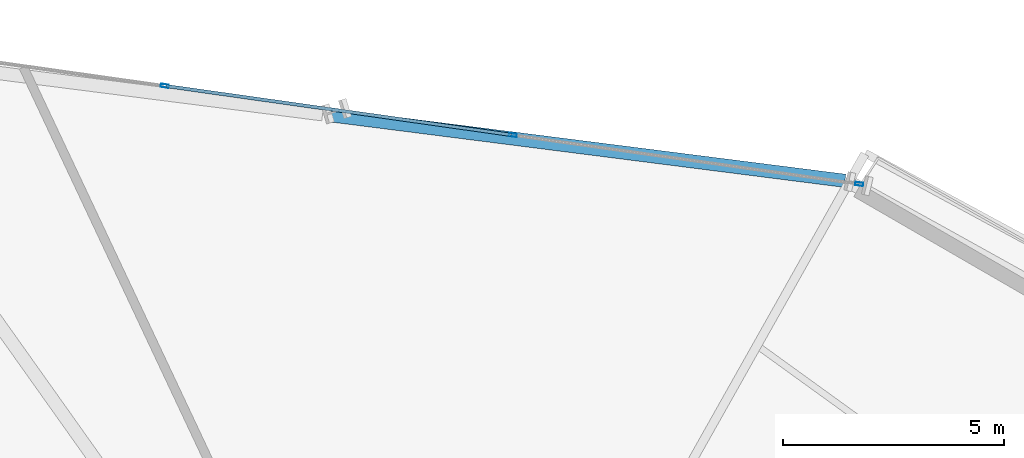
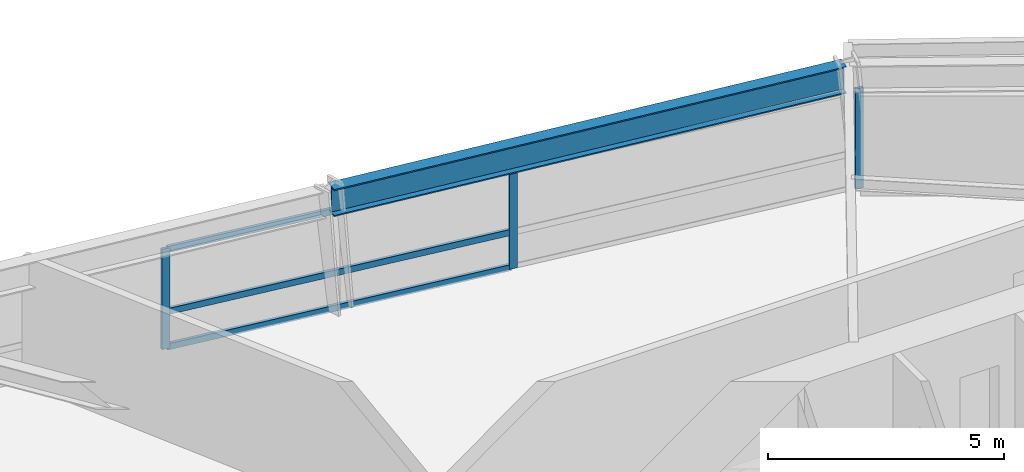
# One storey, part 10 of 21: 6 members, 1 beam, 1 element without a shape of its own.
"""IFC4 building model written with IfcOpenShell, lengths in metres."""

import ifcopenshell
import ifcopenshell.guid

model = None  # the IFC model being written
_history = None  # IfcOwnerHistory: only IFC2X3 demands one
_inside = {}  # id of a spatial element -> (the spatial element, [elements in it])
_under = {}  # id of a project, library or spatial element -> (it, [spatial elements below it])
_declared = {}  # id of a project -> (the project, [libraries it declares])
_typed = {}  # id of a type object -> (the type object, [elements of that type])
_made_of = {}  # id of a material, layer set ... -> (it, [elements and type objects made of it])


def new_model(schema):
    """Start an empty IFC model of exactly this schema.

    Asked for "IFC4X3", IfcOpenShell would pick the latest addendum, in which some entities
    have other attributes; the version numbers below select the first issue.
    IFC2X3 requires an IfcOwnerHistory on every rooted entity: one is made here for all.
    """
    global model, _history
    if schema == "IFC4X3":
        model = ifcopenshell.file(schema_version=(4, 3, 0, 0))
    else:
        model = ifcopenshell.file(schema=schema)
    _inside.clear()
    _under.clear()
    _declared.clear()
    _typed.clear()
    _made_of.clear()
    _history = None
    if model.schema == "IFC2X3":
        org = make("IfcOrganization", Name="unknown")
        user = make(
            "IfcPersonAndOrganization",
            ThePerson=make("IfcPerson", FamilyName="unknown"),
            TheOrganization=org,
        )
        app = make(
            "IfcApplication",
            ApplicationDeveloper=org,
            Version="unknown",
            ApplicationFullName="unknown",
            ApplicationIdentifier="unknown",
        )
        _history = make(
            "IfcOwnerHistory",
            OwningUser=user,
            OwningApplication=app,
            ChangeAction="ADDED",
            CreationDate=0,
        )
    return model


def make(cls, **values):
    """One entity of the class cls with the attributes given. An attribute that is None is left unset."""
    return model.create_entity(
        cls, **{name: value for name, value in values.items() if value is not None}
    )


def rooted(cls, **values):
    """An entity with a GlobalId (a new one), such as an element, a storey or a relation."""
    return make(cls, GlobalId=ifcopenshell.guid.new(), OwnerHistory=_history, **values)


def si_unit(unit_type, name, prefix=None):
    """IfcSIUnit, for example si_unit("LENGTHUNIT", "METRE", prefix="MILLI")."""
    return make("IfcSIUnit", UnitType=unit_type, Prefix=prefix, Name=name)


def assignment(units):
    """IfcUnitAssignment: the units of a project."""
    return None if units is None else make("IfcUnitAssignment", Units=units)


def point(xyz):
    """IfcCartesianPoint."""
    return None if xyz is None else make("IfcCartesianPoint", Coordinates=xyz)


def direction(xyz):
    """IfcDirection."""
    return None if xyz is None else make("IfcDirection", DirectionRatios=xyz)


def frame(location, z_axis=None, x_axis=None):
    """IfcAxis2Placement3D, a coordinate frame: its origin and axes. An axis left out is left unset."""
    return make(
        "IfcAxis2Placement3D",
        Location=point(location),
        Axis=direction(z_axis),
        RefDirection=direction(x_axis),
    )


def frame_2d(location, x_axis=None):
    """IfcAxis2Placement2D, a coordinate frame in the plane: its origin and x axis."""
    return make(
        "IfcAxis2Placement2D", Location=point(location), RefDirection=direction(x_axis)
    )


def origin():
    """The frame at (0, 0, 0) with its axes left unset."""
    return frame((0.0, 0.0, 0.0))


def origin_2d():
    """The frame at (0, 0) in the plane with its x axis left unset."""
    return frame_2d((0.0, 0.0))


def place(relative_to, where):
    """IfcLocalPlacement: puts the frame where relative to a parent placement (None: the world)."""
    return make(
        "IfcLocalPlacement", PlacementRelTo=relative_to, RelativePlacement=where
    )


def context(
    kind, dimensions, precision=None, world=None, true_north=None, identifier=None
):
    """IfcGeometricRepresentationContext, for example the 3D "Model" context."""
    return make(
        "IfcGeometricRepresentationContext",
        ContextIdentifier=identifier,
        ContextType=kind,
        CoordinateSpaceDimension=dimensions,
        Precision=precision,
        WorldCoordinateSystem=world,
        TrueNorth=true_north,
    )


def subcontext(parent, identifier, kind, view, scale=None):
    """IfcGeometricRepresentationSubContext, for example "Body" below "Model"."""
    return make(
        "IfcGeometricRepresentationSubContext",
        ContextIdentifier=identifier,
        ContextType=kind,
        ParentContext=parent,
        TargetScale=scale,
        TargetView=view,
    )


def project(units=None, contexts=None):
    """IfcProject with its units and contexts."""
    return rooted(
        "IfcProject",
        Name="project",
        RepresentationContexts=contexts,
        UnitsInContext=assignment(units),
    )


def spatial(cls, under=None, at=None, **own):
    """A site, building, storey or space (cls), placed at a placement, below another one or the project."""
    s = rooted(cls, ObjectPlacement=at, **own)
    if under is not None:
        _under.setdefault(under.id(), (under, []))[1].append(s)
    return s


def profile(cls, at=None, kind="AREA", **sizes):
    """A parametric profile (cls). Its sizes go by their IFC names, for example OverallWidth=200.0."""
    return make(cls, ProfileType=kind, Position=at, **sizes)


def hollow_rectangle(**sizes):
    """IfcRectangleHollowProfileDef."""
    return profile("IfcRectangleHollowProfileDef", **sizes)


def i_section(**sizes):
    """IfcIShapeProfileDef."""
    return profile("IfcIShapeProfileDef", **sizes)


def extrude(swept, where, along, depth):
    """IfcExtrudedAreaSolid: the profile swept, set in the frame where, extruded along a direction by depth."""
    return make(
        "IfcExtrudedAreaSolid",
        SweptArea=swept,
        Position=where,
        ExtrudedDirection=direction(along),
        Depth=depth,
    )


def shape(context_of_items, identifier, shape_type, items):
    """IfcShapeRepresentation: the items that make up one representation, for example the "Body"."""
    return make(
        "IfcShapeRepresentation",
        ContextOfItems=context_of_items,
        RepresentationIdentifier=identifier,
        RepresentationType=shape_type,
        Items=items,
    )


def source(mapping_origin, context_of_items, identifier, shape_type, items):
    """IfcRepresentationMap: a shape defined once, which mapped items show again and again."""
    return make(
        "IfcRepresentationMap",
        MappingOrigin=mapping_origin,
        MappedRepresentation=shape(context_of_items, identifier, shape_type, items),
    )


def transform(
    local_origin,
    x_axis=None,
    y_axis=None,
    z_axis=None,
    scale=None,
    scale2=None,
    scale3=None,
    uniform=True,
):
    """IfcCartesianTransformationOperator3D, or its non-uniform kind. x_axis, y_axis, z_axis: its Axis1, 2, 3."""
    if uniform:
        return make(
            "IfcCartesianTransformationOperator3D",
            Axis1=direction(x_axis),
            Axis2=direction(y_axis),
            LocalOrigin=point(local_origin),
            Scale=scale,
            Axis3=direction(z_axis),
        )
    return make(
        "IfcCartesianTransformationOperator3DnonUniform",
        Axis1=direction(x_axis),
        Axis2=direction(y_axis),
        LocalOrigin=point(local_origin),
        Scale=scale,
        Axis3=direction(z_axis),
        Scale2=scale2,
        Scale3=scale3,
    )


def mapped(mapping_source, mapping_target):
    """IfcMappedItem: shows the shape of a source again, moved by a transform."""
    return make(
        "IfcMappedItem", MappingSource=mapping_source, MappingTarget=mapping_target
    )


def material(Name=None, Category=None):
    """IfcMaterial."""
    return make("IfcMaterial", Name=Name, Category=Category)


def material_profile(
    of_material, cross_section, Name=None, Category=None, Priority=None
):
    """IfcMaterialProfile: a cross section and its material."""
    return make(
        "IfcMaterialProfile",
        Name=Name,
        Material=of_material,
        Profile=cross_section,
        Priority=Priority,
        Category=Category,
    )


def profile_set(profiles, Name=None, composite=None):
    """IfcMaterialProfileSet."""
    return make(
        "IfcMaterialProfileSet",
        Name=Name,
        MaterialProfiles=profiles,
        CompositeProfile=composite,
    )


def made_of(thing, what):
    """Note that an element or type object is made of a material, layer set ...; save() writes the relation."""
    if what is not None:
        _made_of.setdefault(what.id(), (what, []))[1].append(thing)
    return thing


def type_object(cls, material=None, **own):
    """A type object (cls), such as IfcWallType, which elements share."""
    return made_of(rooted(cls, **own), material)


def element(
    cls,
    number,
    at=None,
    inside=None,
    cuts=None,
    type_object=None,
    material=None,
    context=None,
    identifier="Body",
    shape_type=None,
    held_by="IfcProductDefinitionShape",
    body=None,
    shapes=None,
    **own,
):
    """One element of the class cls, such as IfcWall. Its Tag is "e" and its number.

    at: its placement. inside: the storey or other place that contains it. cuts: it is an
    opening in that element (IfcRelVoidsElement). A single representation is given by context,
    identifier, shape_type and body (its items); several are given by shapes. held_by: the class
    of the entity that holds the representations. save() writes the other relations.
    """
    e = rooted(cls, Tag="e%d" % number, ObjectPlacement=at, **own)
    if body is not None:
        shapes = [shape(context, identifier, shape_type, body)]
    if shapes is not None:
        e.Representation = make(held_by, Representations=shapes)
    if inside is not None:
        _inside.setdefault(inside.id(), (inside, []))[1].append(e)
    if cuts is not None:
        rooted(
            "IfcRelVoidsElement", RelatingBuildingElement=cuts, RelatedOpeningElement=e
        )
    if type_object is not None:
        _typed.setdefault(type_object.id(), (type_object, []))[1].append(e)
    return made_of(e, material)


def aggregate(whole, parts):
    """IfcRelAggregates: a whole, such as a stair, and the parts it consists of."""
    return rooted("IfcRelAggregates", RelatingObject=whole, RelatedObjects=parts)


def save(model, path):
    """Write the relations noted so far, then the file.

    IfcRelAggregates (storeys below a building ...), IfcRelContainedInSpatialStructure (elements
    in a storey), IfcRelDefinesByType, IfcRelAssociatesMaterial and IfcRelDeclares: one each for
    every whole, place, type object, material and project.
    """
    for whole, parts in _under.values():
        aggregate(whole, parts)
    for where, things in _inside.values():
        rooted(
            "IfcRelContainedInSpatialStructure",
            RelatedElements=things,
            RelatingStructure=where,
        )
    for kind, things in _typed.values():
        rooted("IfcRelDefinesByType", RelatedObjects=things, RelatingType=kind)
    for what, things in _made_of.values():
        rooted("IfcRelAssociatesMaterial", RelatedObjects=things, RelatingMaterial=what)
    for by, libraries in _declared.values():
        rooted("IfcRelDeclares", RelatingContext=by, RelatedDefinitions=libraries)
    model.write(path)


model = new_model("IFC4")

# Units and contexts
model_context = context("Model", 3, precision=1e-05, world=origin(), true_north=direction((0.0, 1.0)))
body_context = subcontext(model_context, "Body", "Model", "MODEL_VIEW")
ifc_project = project(units=[si_unit("LENGTHUNIT", "METRE"), si_unit("AREAUNIT", "SQUARE_METRE"), si_unit("VOLUMEUNIT", "CUBIC_METRE"), si_unit("PLANEANGLEUNIT", "RADIAN"), si_unit("MASSUNIT", "GRAM", prefix="KILO")], contexts=[model_context])

# Site, building, storey
site_placement = place(None, origin())
site = spatial("IfcSite", under=ifc_project, at=site_placement, CompositionType="ELEMENT")
building_placement = place(site_placement, origin())
building = spatial("IfcBuilding", under=site, at=building_placement, Name="Olszyna Solenne Hotel", CompositionType="ELEMENT")
storey_placement = place(building_placement, frame((0.0, 0.0, 54.14990234375)))
storey = spatial("IfcBuildingStorey", under=building, at=storey_placement, Name="L13", CompositionType="ELEMENT", Elevation=54.14990234375)

# Beam
ifc_material_1 = material(Name="Steel S355J2", Category="steel")
ifc_material_profile_1 = material_profile(ifc_material_1, i_section(OverallWidth=0.300048828125, OverallDepth=0.699951171875, WebThickness=0.01708984375, FlangeThickness=0.031982421875, at=origin_2d()), Name="HEB 700", Category="load-bearing")
ifc_profile_set_1 = profile_set([ifc_material_profile_1], Name="Steel S355J2")
beam_type = type_object("IfcBeamType", Name="BM-S1", PredefinedType="BEAM", material=ifc_profile_set_1)
shared_shape_1 = source(origin(), body_context, "Body", "SweptSolid", [
    extrude(i_section(OverallWidth=0.300048828125, OverallDepth=0.699951171875, WebThickness=0.01708984375, FlangeThickness=0.031982421875, at=origin_2d()), origin(), (0.0, 0.0, 1.0), 11.780517578125),
])
beam_placement = place(storey_placement, frame((47.386962890625, 43.5390625, 2.9501953125), z_axis=(-0.991990548134, 0.126312122984, 0.0), x_axis=(-0.126312122984, -0.991990548134, 0.0)))
element("IfcBeam", 1, at=beam_placement, inside=storey, type_object=beam_type, Name="Perimeter spandrel beam BM-S1 B-L13-0408", PredefinedType="BEAM", context=body_context, shape_type="MappedRepresentation", body=[
    mapped(shared_shape_1, transform((0.0, 0.0, 0.0), x_axis=(1.0, 0.0, 0.0), y_axis=(0.0, 1.0, 0.0), z_axis=(0.0, 0.0, 1.0), scale=1.0)),
])

# Curtain wall, members
ifc_material_2 = material(Name="Anodised bronze aluminium", Category="aluminium")
curtain_wall_type = type_object("IfcCurtainWallType", Name="CW-SYS-2", PredefinedType="NOTDEFINED", material=ifc_material_2)
curtain_wall_placement = place(storey_placement, origin())
curtain_wall = element("IfcCurtainWall", 2, at=curtain_wall_placement, inside=storey, type_object=curtain_wall_type, Name="Unitised curtain wall CW-SYS-2 CW-L13-02", PredefinedType="NOTDEFINED")
ifc_material_profile_2 = material_profile(ifc_material_2, hollow_rectangle(XDim=0.074951171875, YDim=0.179931640625, WallThickness=0.00439453125, at=origin_2d()), Name="MULL 180x75x4.5", Category="load-bearing")
ifc_profile_set_2 = profile_set([ifc_material_profile_2], Name="Anodised bronze aluminium")
member_type_1 = type_object("IfcMemberType", Name="CW-M2", PredefinedType="MULLION", material=ifc_profile_set_2)
shared_shape_2 = source(origin(), body_context, "Body", "SweptSolid", [
    extrude(hollow_rectangle(XDim=0.074951171875, YDim=0.179931640625, WallThickness=0.00439453125, at=origin_2d()), origin(), (0.0, 0.0, 1.0), 2.592041015625),
])
member_1_placement = place(storey_placement, frame((32.014892578125, 45.68408203125, 0.0), z_axis=(0.0, 0.0, 1.0), x_axis=(0.140005008144, 0.990150795432, 0.0)))
member_1 = element("IfcMember", 3, at=member_1_placement, type_object=member_type_1, Name="Curtain-wall mullion CW-M2 CM-L13-02-02", PredefinedType="MULLION", context=body_context, shape_type="MappedRepresentation", body=[
    mapped(shared_shape_2, transform((0.0, 0.0, 0.0), x_axis=(1.0, 0.0, 0.0), y_axis=(0.0, 1.0, 0.0), z_axis=(0.0, 0.0, 1.0), scale=1.0)),
])
member_2_placement = place(storey_placement, frame((39.88134765625, 44.57177734375, 0.0), z_axis=(0.0, 0.0, 1.0), x_axis=(0.140005008144, 0.990150795432, 0.0)))
member_2 = element("IfcMember", 4, at=member_2_placement, type_object=member_type_1, Name="Curtain-wall mullion CW-M2 CM-L13-02-03", PredefinedType="MULLION", context=body_context, shape_type="MappedRepresentation", body=[
    mapped(shared_shape_2, transform((0.0, 0.0, 0.0), x_axis=(1.0, 0.0, 0.0), y_axis=(0.0, 1.0, 0.0), z_axis=(0.0, 0.0, 1.0), scale=1.0)),
])
member_3_placement = place(storey_placement, frame((47.710693359375, 43.464599609375, 0.0), z_axis=(0.0, 0.0, 1.0), x_axis=(0.140005008144, 0.990150795432, 0.0)))
member_3 = element("IfcMember", 5, at=member_3_placement, type_object=member_type_1, Name="Curtain-wall mullion CW-M2 CM-L13-02-04", PredefinedType="MULLION", context=body_context, shape_type="MappedRepresentation", body=[
    mapped(shared_shape_2, transform((0.0, 0.0, 0.0), x_axis=(1.0, 0.0, 0.0), y_axis=(0.0, 1.0, 0.0), z_axis=(0.0, 0.0, 1.0), scale=1.0)),
])
ifc_material_profile_3 = material_profile(ifc_material_2, hollow_rectangle(XDim=0.074951171875, YDim=0.159912109375, WallThickness=0.00390625, at=origin_2d()), Name="TRAN 160x75x4", Category="load-bearing")
ifc_profile_set_3 = profile_set([ifc_material_profile_3], Name="Anodised bronze aluminium")
member_type_2 = type_object("IfcMemberType", Name="CW-T1", PredefinedType="USERDEFINED", material=ifc_profile_set_3)
shared_shape_3 = source(origin(), body_context, "Body", "SweptSolid", [
    extrude(hollow_rectangle(XDim=0.074951171875, YDim=0.159912109375, WallThickness=0.00390625, at=origin_2d()), origin(), (0.0, 0.0, 1.0), 7.86962890625),
])
member_4_placement = place(storey_placement, frame((32.052001953125, 45.6787109375, 0.03759765625), z_axis=(0.990150748981, -0.140005336659, 0.0), x_axis=(0.140005336659, 0.990150748981, 0.0)))
member_4 = element("IfcMember", 6, at=member_4_placement, type_object=member_type_2, Name="Curtain-wall transom CW-T1 CT-L13-02-04", ObjectType="TRANSOM", PredefinedType="USERDEFINED", context=body_context, shape_type="MappedRepresentation", body=[
    mapped(shared_shape_3, transform((0.0, 0.0, 0.0), x_axis=(1.0, 0.0, 0.0), y_axis=(0.0, 1.0, 0.0), z_axis=(0.0, 0.0, 1.0), scale=1.0)),
])
member_5_placement = place(storey_placement, frame((32.052001953125, 45.6787109375, 0.9501953125), z_axis=(0.990150748981, -0.140005336659, 0.0), x_axis=(0.140005336659, 0.990150748981, 0.0)))
member_5 = element("IfcMember", 7, at=member_5_placement, type_object=member_type_2, Name="Curtain-wall transom CW-T1 CT-L13-02-05", ObjectType="TRANSOM", PredefinedType="USERDEFINED", context=body_context, shape_type="MappedRepresentation", body=[
    mapped(shared_shape_3, transform((0.0, 0.0, 0.0), x_axis=(1.0, 0.0, 0.0), y_axis=(0.0, 1.0, 0.0), z_axis=(0.0, 0.0, 1.0), scale=1.0)),
])
member_6_placement = place(storey_placement, frame((32.052001953125, 45.6787109375, 2.5546875), z_axis=(0.990150748981, -0.140005336659, 0.0), x_axis=(0.140005336659, 0.990150748981, 0.0)))
member_6 = element("IfcMember", 8, at=member_6_placement, type_object=member_type_2, Name="Curtain-wall transom CW-T1 CT-L13-02-06", ObjectType="TRANSOM", PredefinedType="USERDEFINED", context=body_context, shape_type="MappedRepresentation", body=[
    mapped(shared_shape_3, transform((0.0, 0.0, 0.0), x_axis=(1.0, 0.0, 0.0), y_axis=(0.0, 1.0, 0.0), z_axis=(0.0, 0.0, 1.0), scale=1.0)),
])
aggregate(curtain_wall, [member_1, member_2, member_3, member_4, member_5, member_6])

save(model, "model.ifc")
